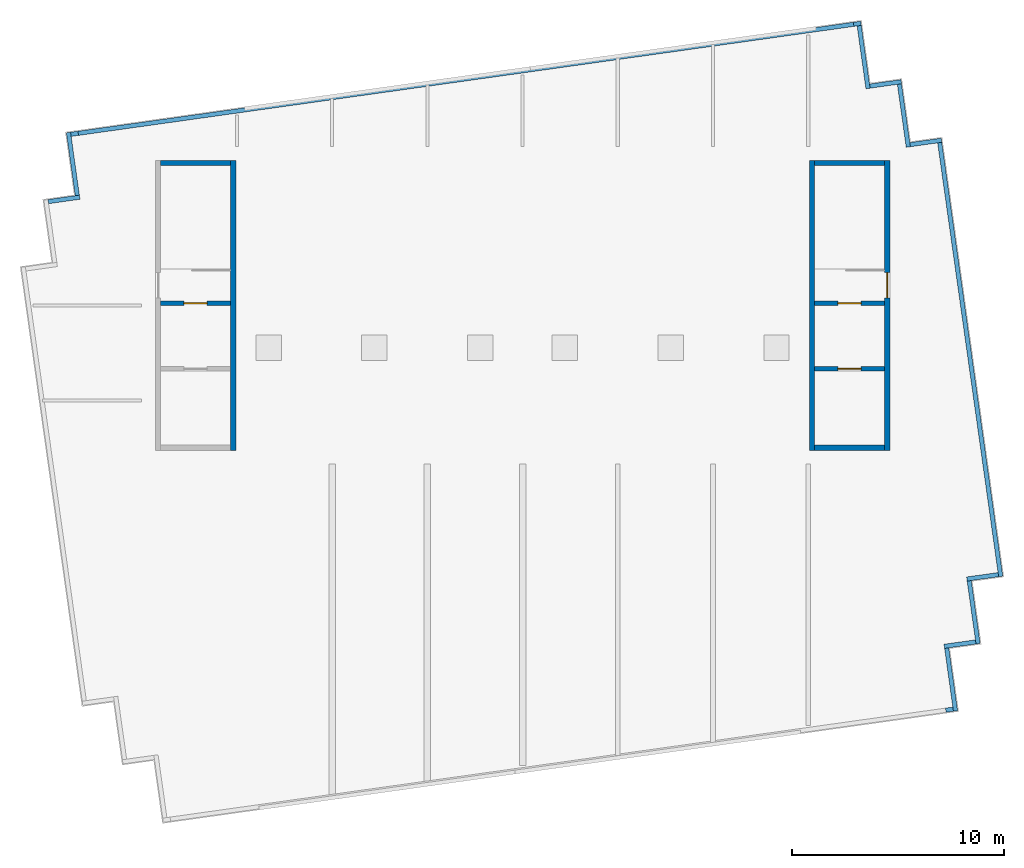
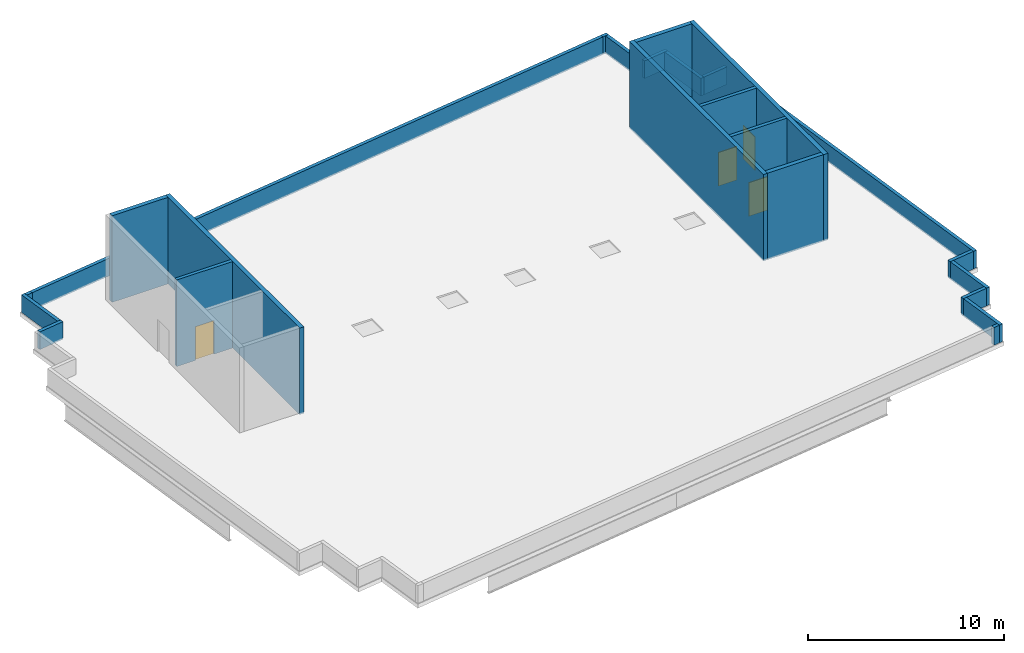
# One storey, part 2 of 3: 24 walls, 4 doors, 4 openings.
"""IFC4 building model written with IfcOpenShell, lengths in metres."""

from ifc_helpers import new_model, si_unit, direction, frame, frame_2d, origin, place, context, subcontext, project, spatial, rectangle, extrude, material, layer, layer_set, type_object, element, fill, save


model = new_model("IFC4")

# Units and contexts
model_context = context("Model", 3, precision=1e-05, world=origin(), true_north=direction((0.0, 1.0)))
body_context = subcontext(model_context, "Body", "Model", "MODEL_VIEW")
ifc_project = project(units=[si_unit("LENGTHUNIT", "METRE"), si_unit("AREAUNIT", "SQUARE_METRE"), si_unit("VOLUMEUNIT", "CUBIC_METRE"), si_unit("PLANEANGLEUNIT", "RADIAN"), si_unit("MASSUNIT", "GRAM", prefix="KILO")], contexts=[model_context])

# Site, building, storey
site_placement = place(None, origin())
site = spatial("IfcSite", under=ifc_project, at=site_placement, CompositionType="ELEMENT")
building_placement = place(site_placement, origin())
building = spatial("IfcBuilding", under=site, at=building_placement, Name="Rattan Terrace Tower", CompositionType="ELEMENT")
storey_placement = place(building_placement, frame((0.0, 0.0, 316.300048828125)))
storey = spatial("IfcBuildingStorey", under=building, at=storey_placement, Name="ROOF", CompositionType="ELEMENT", Elevation=316.300048828125)

# Walls
ifc_material_1 = material(Name="Reinforced concrete C30/37", Category="concrete")
ifc_layer_1 = layer(ifc_material_1, 0.199951171875)
ifc_layer_set_1 = layer_set([ifc_layer_1], Name="Facade Roof Parapet 200")
wall_type_1 = type_object("IfcWallType", Name="Facade Roof Parapet 200", PredefinedType="PARAPET", material=ifc_layer_set_1)
wall_1_placement = place(storey_placement, frame((-22.410888671875, 4.902099609375, 0.0), z_axis=(0.0, 0.0, 1.0), x_axis=(0.990227772678, 0.139459521786, 0.0)))
element("IfcWall", 1, at=wall_1_placement, inside=storey, type_object=wall_type_1, Name="Roof parapet 3", PredefinedType="PARAPET", context=body_context, shape_type="SweptSolid", body=[
    extrude(rectangle(XDim=1.49853515625, YDim=0.199951171875, at=frame_2d((0.749267578125, 0.0))), origin(), (0.0, 0.0, 1.0), 1.099853515625),
])
wall_2_placement = place(storey_placement, frame((-21.0400390625, 5.196044921875, 0.0), z_axis=(0.0, 0.0, 1.0), x_axis=(-0.138719703182, 0.990331683806, 0.0)))
element("IfcWall", 2, at=wall_2_placement, inside=storey, type_object=wall_type_1, Name="Roof parapet 4", PredefinedType="PARAPET", context=body_context, shape_type="SweptSolid", body=[
    extrude(rectangle(XDim=2.9990234375, YDim=0.199951171875, at=frame_2d((1.49951171875, 0.0))), origin(), (0.0, 0.0, 1.0), 1.099853515625),
])
wall_3_placement = place(storey_placement, frame((-21.343994140625, 8.0810546875, 0.0), z_axis=(0.0, 0.0, 1.0), x_axis=(0.990672975333, 0.136260984677, 0.0)))
element("IfcWall", 3, at=wall_3_placement, inside=storey, type_object=wall_type_1, Name="Roof parapet 5", PredefinedType="PARAPET", context=body_context, shape_type="SweptSolid", body=[
    extrude(rectangle(XDim=0.35107421875, YDim=0.199951171875, at=frame_2d((0.175537109375, 0.0))), origin(), (0.0, 0.0, 1.0), 1.099853515625),
])
wall_4_placement = place(storey_placement, frame((-20.99609375, 8.12890625, 0.0), z_axis=(0.0, 0.0, 1.0), x_axis=(0.99026541991, 0.139191947074, 0.0)))
element("IfcWall", 4, at=wall_4_placement, inside=storey, type_object=wall_type_1, Name="Roof parapet 6", PredefinedType="PARAPET", context=body_context, shape_type="SweptSolid", body=[
    extrude(rectangle(XDim=37.000244140625, YDim=0.199951171875, at=frame_2d((18.5, 0.0))), origin(), (0.0, 0.0, 1.0), 1.099853515625),
])
wall_5_placement = place(storey_placement, frame((15.64404296875, 13.279052734375, 0.0), z_axis=(0.0, 0.0, 1.0), x_axis=(0.990185685296, 0.139758036033, 0.0)))
element("IfcWall", 5, at=wall_5_placement, inside=storey, type_object=wall_type_1, Name="Roof parapet 7", PredefinedType="PARAPET", context=body_context, shape_type="SweptSolid", body=[
    extrude(rectangle(XDim=0.349365234375, YDim=0.199951171875, at=frame_2d((0.1748046875, 0.0))), origin(), (0.0, 0.0, 1.0), 1.099853515625),
])
wall_6_placement = place(storey_placement, frame((15.905029296875, 13.215087890625, 0.0), z_axis=(0.0, 0.0, 1.0), x_axis=(0.139448273327, -0.990229356799, 0.0)))
element("IfcWall", 6, at=wall_6_placement, inside=storey, type_object=wall_type_1, Name="Roof parapet 8", PredefinedType="PARAPET", context=body_context, shape_type="SweptSolid", body=[
    extrude(rectangle(XDim=2.997314453125, YDim=0.199951171875, at=frame_2d((1.49853515625, 0.0))), origin(), (0.0, 0.0, 1.0), 1.099853515625),
])
wall_7_placement = place(storey_placement, frame((16.407958984375, 10.360107421875, 0.0), z_axis=(0.0, 0.0, 1.0), x_axis=(0.990320708651, 0.138798033191, 0.0)))
element("IfcWall", 7, at=wall_7_placement, inside=storey, type_object=wall_type_1, Name="Roof parapet 9", PredefinedType="PARAPET", context=body_context, shape_type="SweptSolid", body=[
    extrude(rectangle(XDim=1.49853515625, YDim=0.199951171875, at=frame_2d((0.749267578125, 0.0))), origin(), (0.0, 0.0, 1.0), 1.099853515625),
])
wall_8_placement = place(storey_placement, frame((17.806884765625, 10.455078125, 0.0), z_axis=(0.0, 0.0, 1.0), x_axis=(0.139611135078, -0.990206408261, 0.0)))
element("IfcWall", 8, at=wall_8_placement, inside=storey, type_object=wall_type_1, Name="Roof parapet 10", PredefinedType="PARAPET", context=body_context, shape_type="SweptSolid", body=[
    extrude(rectangle(XDim=3.00244140625, YDim=0.199951171875, at=frame_2d((1.501220703125, 0.0))), origin(), (0.0, 0.0, 1.0), 1.099853515625),
])
wall_9_placement = place(storey_placement, frame((18.31103515625, 7.593994140625, 0.0), z_axis=(0.0, 0.0, 1.0), x_axis=(0.990227772678, 0.139459521786, 0.0)))
element("IfcWall", 9, at=wall_9_placement, inside=storey, type_object=wall_type_1, Name="Roof parapet 11", PredefinedType="PARAPET", context=body_context, shape_type="SweptSolid", body=[
    extrude(rectangle(XDim=1.49853515625, YDim=0.199951171875, at=frame_2d((0.749267578125, 0.0))), origin(), (0.0, 0.0, 1.0), 1.099853515625),
])
wall_10_placement = place(storey_placement, frame((19.7099609375, 7.69091796875, 0.0), z_axis=(0.0, 0.0, 1.0), x_axis=(0.139226641253, -0.990260542668, 0.0)))
element("IfcWall", 10, at=wall_10_placement, inside=storey, type_object=wall_type_1, Name="Roof parapet 12", PredefinedType="PARAPET", context=body_context, shape_type="SweptSolid", body=[
    extrude(rectangle(XDim=20.70068359375, YDim=0.199951171875, at=frame_2d((10.350341796875, 0.0))), origin(), (0.0, 0.0, 1.0), 1.099853515625),
])
wall_11_placement = place(storey_placement, frame((22.47900390625, -12.722900390625, 0.0), z_axis=(0.0, 0.0, 1.0), x_axis=(-0.990256228307, -0.13925732404, 0.0)))
element("IfcWall", 11, at=wall_11_placement, inside=storey, type_object=wall_type_1, Name="Roof parapet 13", PredefinedType="PARAPET", context=body_context, shape_type="SweptSolid", body=[
    extrude(rectangle(XDim=1.500732421875, YDim=0.199951171875, at=frame_2d((0.75048828125, 0.0))), origin(), (0.0, 0.0, 1.0), 1.099853515625),
])
wall_12_placement = place(storey_placement, frame((21.10498046875, -13.01708984375, 0.0), z_axis=(0.0, 0.0, 1.0), x_axis=(0.139358350296, -0.990242015975, 0.0)))
element("IfcWall", 12, at=wall_12_placement, inside=storey, type_object=wall_type_1, Name="Roof parapet 14", PredefinedType="PARAPET", context=body_context, shape_type="SweptSolid", body=[
    extrude(rectangle(XDim=2.999267578125, YDim=0.199951171875, at=frame_2d((1.49951171875, 0.0))), origin(), (0.0, 0.0, 1.0), 1.099853515625),
])
wall_13_placement = place(storey_placement, frame((21.410888671875, -15.902099609375, 0.0), z_axis=(0.0, 0.0, 1.0), x_axis=(-0.990227772678, -0.139459521786, 0.0)))
element("IfcWall", 13, at=wall_13_placement, inside=storey, type_object=wall_type_1, Name="Roof parapet 15", PredefinedType="PARAPET", context=body_context, shape_type="SweptSolid", body=[
    extrude(rectangle(XDim=1.49853515625, YDim=0.199951171875, at=frame_2d((0.749267578125, 0.0))), origin(), (0.0, 0.0, 1.0), 1.099853515625),
])
wall_14_placement = place(storey_placement, frame((20.0400390625, -16.196044921875, 0.0), z_axis=(0.0, 0.0, 1.0), x_axis=(0.138719703182, -0.990331683806, 0.0)))
element("IfcWall", 14, at=wall_14_placement, inside=storey, type_object=wall_type_1, Name="Roof parapet 16", PredefinedType="PARAPET", context=body_context, shape_type="SweptSolid", body=[
    extrude(rectangle(XDim=2.9990234375, YDim=0.199951171875, at=frame_2d((1.49951171875, 0.0))), origin(), (0.0, 0.0, 1.0), 1.099853515625),
])
wall_15_placement = place(storey_placement, frame((20.343994140625, -19.0810546875, 0.0), z_axis=(0.0, 0.0, 1.0), x_axis=(-0.990672975333, -0.136260984677, 0.0)))
element("IfcWall", 15, at=wall_15_placement, inside=storey, type_object=wall_type_1, Name="Roof parapet 17", PredefinedType="PARAPET", context=body_context, shape_type="SweptSolid", body=[
    extrude(rectangle(XDim=0.35107421875, YDim=0.199951171875, at=frame_2d((0.175537109375, 0.0))), origin(), (0.0, 0.0, 1.0), 1.099853515625),
])

# Wall, opening, door
ifc_material_2 = material(Name="Concrete C40/50", Category="concrete")
ifc_layer_2 = layer(ifc_material_2, 0.199951171875)
ifc_layer_set_2 = layer_set([ifc_layer_2], Name="Stair head-house wall 200")
wall_type_2 = type_object("IfcWallType", Name="Stair head-house wall 200", PredefinedType="SHEAR", material=ifc_layer_set_2)
wall_16_placement = place(storey_placement, frame((-17.10009765625, 0.10009765625, 0.0), z_axis=(0.0, 0.0, 1.0), x_axis=(1.0, 0.0, 0.0)))
wall_16 = element("IfcWall", 16, at=wall_16_placement, inside=storey, type_object=wall_type_2, Name="Stair enclosure wall", PredefinedType="SHEAR", context=body_context, shape_type="SweptSolid", body=[
    extrude(rectangle(XDim=3.300048828125, YDim=0.199951171875, at=frame_2d((1.64990234375, 0.0))), origin(), (0.0, 0.0, 1.0), 5.39990234375),
])
opening_1_placement = place(wall_16_placement, frame((1.10009765625, 0.0, 0.0)))
opening_1 = element("IfcOpeningElement", 17, at=opening_1_placement, cuts=wall_16, Name="Opening ROOF-D001", PredefinedType="OPENING", context=body_context, shape_type="SweptSolid", body=[
    extrude(rectangle(XDim=1.10009765625, YDim=2.10009765625, at=frame_2d((0.550048828125, 1.050048828125))), frame((0.0, 0.110595703125, 0.0), z_axis=(0.0, -1.0, 0.0), x_axis=(1.0, 0.0, 0.0)), (0.0, 0.0, 1.0), 0.220947265625),
])
ifc_material_3 = material(Name="Hollow-metal fire door leaf")
door_type_1 = type_object("IfcDoorType", Name="Core stair door 1100", OperationType="NOTDEFINED", PredefinedType="DOOR", material=ifc_material_3)
door_1_placement = place(opening_1_placement, origin())
door_1 = element("IfcDoor", 18, at=door_1_placement, inside=storey, type_object=door_type_1, Name="Door ROOF-D001", OperationType="SINGLE_SWING_LEFT", OverallHeight=2.10009765625, OverallWidth=1.10009765625, PredefinedType="DOOR", context=body_context, shape_type="SweptSolid", body=[
    extrude(rectangle(XDim=1.10009765625, YDim=2.10009765625, at=frame_2d((0.550048828125, 1.050048828125))), frame((0.0, 0.02490234375, 0.0), z_axis=(0.0, -1.0, 0.0), x_axis=(1.0, 0.0, 0.0)), (0.0, 0.0, 1.0), 0.050048828125),
])
fill(opening_1, door_1)

wall_17_placement = place(storey_placement, frame((13.800048828125, -3.0, 0.0), z_axis=(0.0, 0.0, 1.0), x_axis=(1.0, 0.0, 0.0)))
wall_17 = element("IfcWall", 19, at=wall_17_placement, inside=storey, type_object=wall_type_2, Name="Lift shaft wall", PredefinedType="SHEAR", context=body_context, shape_type="SweptSolid", body=[
    extrude(rectangle(XDim=3.300048828125, YDim=0.199951171875, at=frame_2d((1.64990234375, 0.0))), origin(), (0.0, 0.0, 1.0), 5.39990234375),
])
opening_2_placement = place(wall_17_placement, frame((1.10009765625, 0.0, 0.0)))
opening_2 = element("IfcOpeningElement", 20, at=opening_2_placement, cuts=wall_17, Name="Opening ROOF-LD-FF2", PredefinedType="OPENING", context=body_context, shape_type="SweptSolid", body=[
    extrude(rectangle(XDim=1.10009765625, YDim=2.10009765625, at=frame_2d((0.550048828125, 1.050048828125))), frame((0.0, 0.110595703125, 0.0), z_axis=(0.0, -1.0, 0.0), x_axis=(1.0, 0.0, 0.0)), (0.0, 0.0, 1.0), 0.220947265625),
])
ifc_material_4 = material(Name="Brushed stainless landing door panel")
door_type_2 = type_object("IfcDoorType", Name="Core lift landing door 1100", OperationType="DOUBLE_DOOR_SLIDING", PredefinedType="DOOR", material=ifc_material_4)
door_2_placement = place(opening_2_placement, origin())
door_2 = element("IfcDoor", 21, at=door_2_placement, inside=storey, type_object=door_type_2, Name="Door ROOF-LD-FF2", OperationType="DOUBLE_DOOR_SLIDING", OverallHeight=2.10009765625, OverallWidth=1.10009765625, PredefinedType="DOOR", context=body_context, shape_type="SweptSolid", body=[
    extrude(rectangle(XDim=1.10009765625, YDim=2.10009765625, at=frame_2d((0.550048828125, 1.050048828125))), frame((0.0, 0.02490234375, 0.0), z_axis=(0.0, -1.0, 0.0), x_axis=(1.0, 0.0, 0.0)), (0.0, 0.0, 1.0), 0.050048828125),
])
fill(opening_2, door_2)

wall_18_placement = place(storey_placement, frame((13.800048828125, 0.10009765625, 0.0), z_axis=(0.0, 0.0, 1.0), x_axis=(1.0, 0.0, 0.0)))
wall_18 = element("IfcWall", 22, at=wall_18_placement, inside=storey, type_object=wall_type_2, Name="Stair enclosure wall", PredefinedType="SHEAR", context=body_context, shape_type="SweptSolid", body=[
    extrude(rectangle(XDim=3.300048828125, YDim=0.199951171875, at=frame_2d((1.64990234375, 0.0))), origin(), (0.0, 0.0, 1.0), 5.39990234375),
])
opening_3_placement = place(wall_18_placement, frame((1.10009765625, 0.0, 0.0)))
opening_3 = element("IfcOpeningElement", 23, at=opening_3_placement, cuts=wall_18, Name="Opening ROOF-D003", PredefinedType="OPENING", context=body_context, shape_type="SweptSolid", body=[
    extrude(rectangle(XDim=1.10009765625, YDim=2.10009765625, at=frame_2d((0.550048828125, 1.050048828125))), frame((0.0, 0.110595703125, 0.0), z_axis=(0.0, -1.0, 0.0), x_axis=(1.0, 0.0, 0.0)), (0.0, 0.0, 1.0), 0.220947265625),
])
door_3_placement = place(opening_3_placement, origin())
door_3 = element("IfcDoor", 24, at=door_3_placement, inside=storey, type_object=door_type_1, Name="Door ROOF-D003", OperationType="SINGLE_SWING_LEFT", OverallHeight=2.10009765625, OverallWidth=1.10009765625, PredefinedType="DOOR", context=body_context, shape_type="SweptSolid", body=[
    extrude(rectangle(XDim=1.10009765625, YDim=2.10009765625, at=frame_2d((0.550048828125, 1.050048828125))), frame((0.0, 0.02490234375, 0.0), z_axis=(0.0, -1.0, 0.0), x_axis=(1.0, 0.0, 0.0)), (0.0, 0.0, 1.0), 0.050048828125),
])
fill(opening_3, door_3)

# Walls
ifc_material_5 = material(Name="Concrete C40/50", Category="concrete")
ifc_layer_3 = layer(ifc_material_5, 0.25)
ifc_layer_set_3 = layer_set([ifc_layer_3], Name="Stair head-house wall 250")
wall_type_3 = type_object("IfcWallType", Name="Stair head-house wall 250", PredefinedType="SHEAR", material=ifc_layer_set_3)
wall_19_placement = place(storey_placement, frame((-13.675048828125, -6.85009765625, 0.0), z_axis=(0.0, 0.0, 1.0), x_axis=(0.0, 1.0, 0.0)))
element("IfcWall", 25, at=wall_19_placement, inside=storey, type_object=wall_type_3, Name="Stair head-house wall", PredefinedType="SHEAR", context=body_context, shape_type="SweptSolid", body=[
    extrude(rectangle(XDim=13.7001953125, YDim=0.25, at=frame_2d((6.85009765625, 0.0))), origin(), (0.0, 0.0, 1.0), 5.39990234375),
])
wall_20_placement = place(storey_placement, frame((-17.10009765625, 6.72509765625, 0.0), z_axis=(0.0, 0.0, 1.0), x_axis=(1.0, 0.0, 0.0)))
element("IfcWall", 26, at=wall_20_placement, inside=storey, type_object=wall_type_3, Name="Stair head-house wall", PredefinedType="SHEAR", context=body_context, shape_type="SweptSolid", body=[
    extrude(rectangle(XDim=3.300048828125, YDim=0.25, at=frame_2d((1.64990234375, 0.0))), origin(), (0.0, 0.0, 1.0), 5.39990234375),
])
wall_21_placement = place(storey_placement, frame((13.675048828125, -6.85009765625, 0.0), z_axis=(0.0, 0.0, 1.0), x_axis=(0.0, 1.0, 0.0)))
element("IfcWall", 27, at=wall_21_placement, inside=storey, type_object=wall_type_3, Name="Stair head-house wall", PredefinedType="SHEAR", context=body_context, shape_type="SweptSolid", body=[
    extrude(rectangle(XDim=13.7001953125, YDim=0.25, at=frame_2d((6.85009765625, 0.0))), origin(), (0.0, 0.0, 1.0), 5.39990234375),
])

# Wall, opening, door
wall_22_placement = place(storey_placement, frame((17.22509765625, -6.85009765625, 0.0), z_axis=(0.0, 0.0, 1.0), x_axis=(0.0, 1.0, 0.0)))
wall_22 = element("IfcWall", 28, at=wall_22_placement, inside=storey, type_object=wall_type_3, Name="Stair head-house wall", PredefinedType="SHEAR", context=body_context, shape_type="SweptSolid", body=[
    extrude(rectangle(XDim=13.7001953125, YDim=0.25, at=frame_2d((6.85009765625, 0.0))), origin(), (0.0, 0.0, 1.0), 5.39990234375),
])
opening_4_placement = place(wall_22_placement, frame((7.199951171875, 0.0, 0.0)))
opening_4 = element("IfcOpeningElement", 29, at=opening_4_placement, cuts=wall_22, Name="Opening ROOF-D004", PredefinedType="OPENING", context=body_context, shape_type="SweptSolid", body=[
    extrude(rectangle(XDim=1.199951171875, YDim=2.10009765625, at=frame_2d((0.60009765625, 1.050048828125))), frame((0.0, 0.135498046875, 0.0), z_axis=(0.0, -1.0, 0.0), x_axis=(1.0, 0.0, 0.0)), (0.0, 0.0, 1.0), 0.27099609375),
])
ifc_material_6 = material(Name="Hollow-metal fire door leaf")
door_type_3 = type_object("IfcDoorType", Name="Core stair door 1200", OperationType="NOTDEFINED", PredefinedType="DOOR", material=ifc_material_6)
door_4_placement = place(opening_4_placement, origin())
door_4 = element("IfcDoor", 30, at=door_4_placement, inside=storey, type_object=door_type_3, Name="Door ROOF-D004", OperationType="SINGLE_SWING_RIGHT", OverallHeight=2.10009765625, OverallWidth=1.199951171875, PredefinedType="DOOR", context=body_context, shape_type="SweptSolid", body=[
    extrude(rectangle(XDim=1.199951171875, YDim=2.10009765625, at=frame_2d((0.60009765625, 1.050048828125))), frame((0.0, 0.02490234375, 0.0), z_axis=(0.0, -1.0, 0.0), x_axis=(1.0, 0.0, 0.0)), (0.0, 0.0, 1.0), 0.050048828125),
])
fill(opening_4, door_4)

# Walls
for number, where, z_axis, x_axis, name in (
    (31, (13.800048828125, -6.72509765625, 0.0), (0.0, 0.0, 1.0), (1.0, 0.0, 0.0), "Stair head-house wall"),
    (32, (13.800048828125, 6.72509765625, 0.0), (0.0, 0.0, 1.0), (1.0, 0.0, 0.0), "Stair head-house wall"),
):
    element("IfcWall", number, at=place(storey_placement, frame(where, z_axis=z_axis, x_axis=x_axis)), inside=storey, type_object=wall_type_3, Name=name, PredefinedType="SHEAR", context=body_context, shape_type="SweptSolid", body=[
        extrude(rectangle(XDim=3.300048828125, YDim=0.25, at=frame_2d((1.64990234375, 0.0))), origin(), (0.0, 0.0, 1.0), 5.39990234375),
    ])

save(model, "model.ifc")
